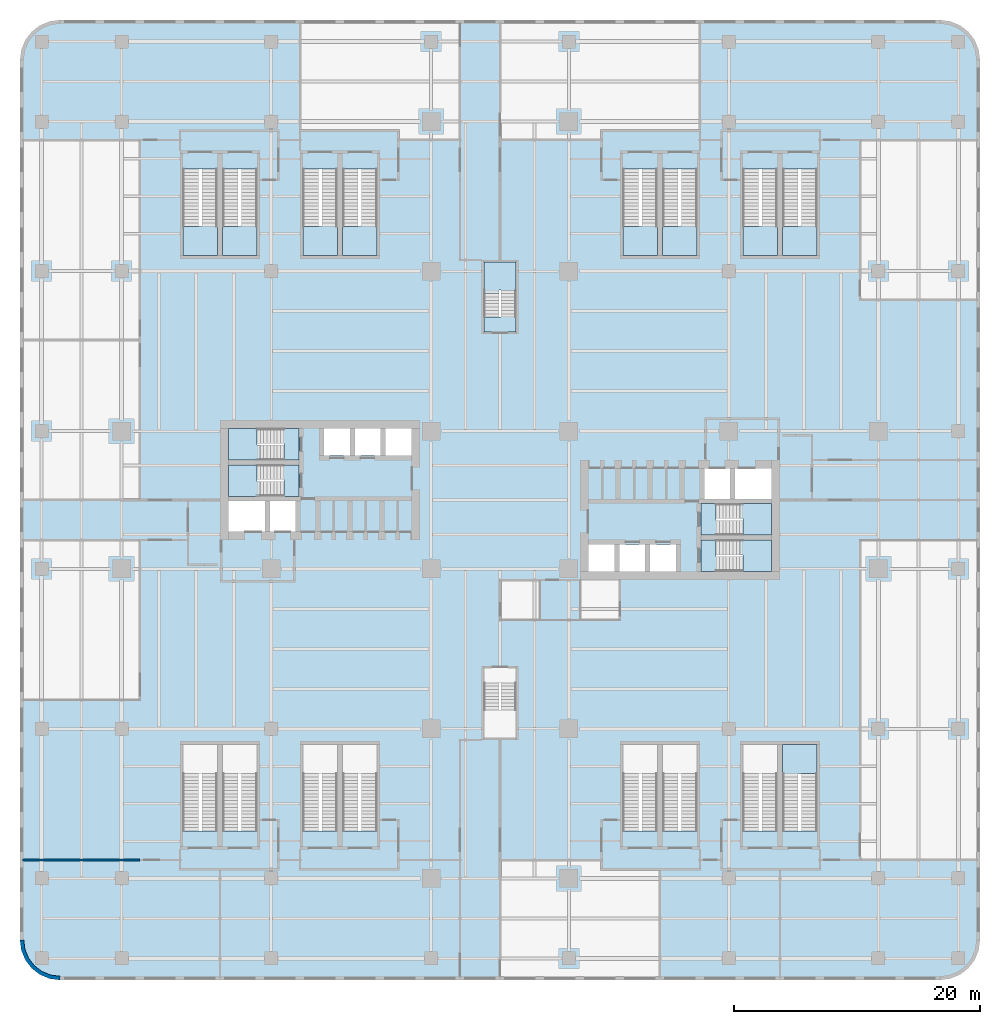
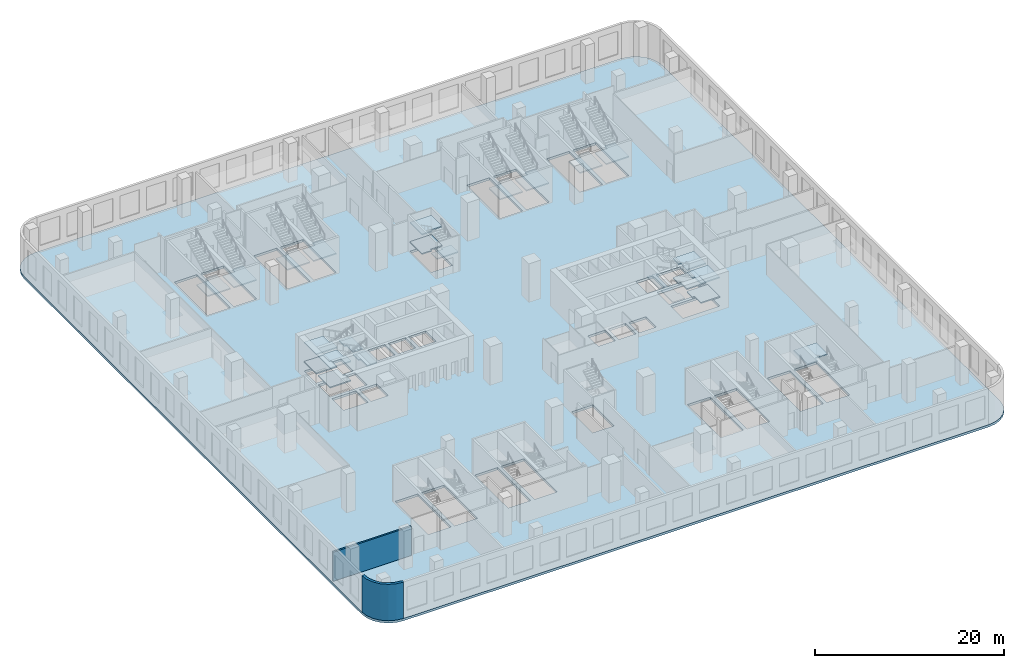
# One storey, part 4 of 17: 25 slabs, 2 walls, 14 elements without a shape of their own.
"""IFC4 building model written with IfcOpenShell, lengths in metres."""

from ifc_helpers import new_model, si_unit, direction, frame, frame_2d, origin, place, context, subcontext, project, spatial, polyline, rectangle, outline, extrude, source, transform, mapped, material, layer, layer_set, type_object, element, aggregate, save


model = new_model("IFC4")

# Units and contexts
model_context = context("Model", 3, precision=1e-05, world=origin(), true_north=direction((0.0, 1.0)))
body_context = subcontext(model_context, "Body", "Model", "MODEL_VIEW")
ifc_project = project(units=[si_unit("LENGTHUNIT", "METRE"), si_unit("AREAUNIT", "SQUARE_METRE"), si_unit("VOLUMEUNIT", "CUBIC_METRE"), si_unit("PLANEANGLEUNIT", "RADIAN"), si_unit("MASSUNIT", "GRAM", prefix="KILO")], contexts=[model_context])

# Site, building, storey
site_placement = place(None, origin())
site = spatial("IfcSite", under=ifc_project, at=site_placement, CompositionType="ELEMENT")
building_placement = place(site_placement, origin())
building = spatial("IfcBuilding", under=site, at=building_placement, Name="Trellis Farm Tower", CompositionType="ELEMENT")
storey_placement = place(building_placement, frame((0.0, 0.0, 19.0)))
storey = spatial("IfcBuildingStorey", under=building, at=storey_placement, Name="L03", CompositionType="ELEMENT", Elevation=19.0)

# Slab
ifc_material_1 = material(Name="Concrete C40/50", Category="concrete")
ifc_layer_1 = layer(ifc_material_1, 0.300048828125)
ifc_layer_set_1 = layer_set([ifc_layer_1], Name="Composite deck floor slab 300")
slab_type_1 = type_object("IfcSlabType", Name="Composite deck floor slab 300", PredefinedType="FLOOR", material=ifc_layer_set_1)
shared_shape_1 = source(origin(), body_context, "Body", "SweptSolid", [
    extrude(outline(polyline([(38.889404296875, -36.59130859375), (38.564697265625, -37.375), (38.048095703125, -38.048095703125), (37.375, -38.564697265625), (36.59130859375, -38.889404296875), (35.75, -39.0), (-35.75, -39.0), (-36.59130859375, -38.889404296875), (-37.375, -38.564697265625), (-38.048095703125, -38.048095703125), (-38.564697265625, -37.375), (-38.889404296875, -36.59130859375), (-39.0, -35.75), (-39.0, 35.75), (-38.889404296875, 36.59130859375), (-38.564697265625, 37.375), (-38.048095703125, 38.048095703125), (-37.375, 38.564697265625), (-36.59130859375, 38.889404296875), (-35.75, 39.0), (35.75, 39.0), (36.59130859375, 38.889404296875), (37.375, 38.564697265625), (38.048095703125, 38.048095703125), (38.564697265625, 37.375), (38.889404296875, 36.59130859375), (39.0, 35.75), (39.0, -35.75), (38.889404296875, -36.59130859375)]), holes=[polyline([(-24.219970703125, -26.89990234375), (-24.219970703125, -26.887939453125), (-22.969970703125, -26.887939453125), (-22.969970703125, -19.85009765625), (-25.75, -19.85009765625), (-25.75, -26.889892578125), (-24.5, -26.889892578125), (-24.5, -26.89990234375), (-24.219970703125, -26.89990234375)]), polyline([(-21.0, -26.89990234375), (-21.0, -26.887939453125), (-19.75, -26.887939453125), (-19.75, -19.85009765625), (-22.530029296875, -19.85009765625), (-22.530029296875, -26.889892578125), (-21.280029296875, -26.889892578125), (-21.280029296875, -26.89990234375), (-21.0, -26.89990234375)]), polyline([(-14.469970703125, -26.89990234375), (-14.469970703125, -26.887939453125), (-13.219970703125, -26.887939453125), (-13.219970703125, -19.85009765625), (-16.0, -19.85009765625), (-16.0, -26.889892578125), (-14.75, -26.889892578125), (-14.75, -26.89990234375), (-14.469970703125, -26.89990234375)]), polyline([(-11.25, -26.89990234375), (-11.25, -26.887939453125), (-10.0, -26.887939453125), (-10.0, -19.85009765625), (-12.780029296875, -19.85009765625), (-12.780029296875, -26.889892578125), (-11.530029296875, -26.889892578125), (-11.530029296875, -26.89990234375), (-11.25, -26.89990234375)]), polyline([(-0.10009765625, -14.85009765625), (-0.10009765625, -14.862060546875), (-1.300048828125, -14.862060546875), (-1.300048828125, -19.35009765625), (1.300048828125, -19.35009765625), (1.300048828125, -14.860107421875), (0.10009765625, -14.860107421875), (0.10009765625, -14.85009765625), (-0.10009765625, -14.85009765625)]), polyline([(-19.10009765625, -0.10009765625), (-22.050048828125, -0.10009765625), (-22.050048828125, -2.550048828125), (-19.10009765625, -2.550048828125), (-19.10009765625, -0.10009765625)]), polyline([(-16.60009765625, -0.10009765625), (-18.699951171875, -0.10009765625), (-18.699951171875, -2.550048828125), (-16.60009765625, -2.550048828125), (-16.60009765625, -0.10009765625)]), polyline([(-17.550048828125, 1.64990234375), (-17.56201171875, 1.64990234375), (-17.56201171875, 2.85009765625), (-22.050048828125, 2.85009765625), (-22.050048828125, 0.300048828125), (-17.56005859375, 0.300048828125), (-17.56005859375, 1.5), (-17.550048828125, 1.5), (-17.550048828125, 1.64990234375)]), polyline([(-17.550048828125, 4.60009765625), (-17.56201171875, 4.60009765625), (-17.56201171875, 5.800048828125), (-22.050048828125, 5.800048828125), (-22.050048828125, 3.25), (-17.56005859375, 3.25), (-17.56005859375, 4.449951171875), (-17.550048828125, 4.449951171875), (-17.550048828125, 4.60009765625)]), polyline([(-12.199951171875, 5.800048828125), (-14.300048828125, 5.800048828125), (-14.300048828125, 3.60009765625), (-12.199951171875, 3.60009765625), (-12.199951171875, 5.800048828125)]), polyline([(-9.699951171875, 5.800048828125), (-11.800048828125, 5.800048828125), (-11.800048828125, 3.60009765625), (-9.699951171875, 3.60009765625), (-9.699951171875, 5.800048828125)]), polyline([(-7.199951171875, 5.800048828125), (-9.300048828125, 5.800048828125), (-9.300048828125, 3.60009765625), (-7.199951171875, 3.60009765625), (-7.199951171875, 5.800048828125)]), polyline([(-24.5, 26.89990234375), (-24.5, 26.887939453125), (-25.75, 26.887939453125), (-25.75, 19.85009765625), (-22.969970703125, 19.85009765625), (-22.969970703125, 26.889892578125), (-24.219970703125, 26.889892578125), (-24.219970703125, 26.89990234375), (-24.5, 26.89990234375)]), polyline([(-21.280029296875, 26.89990234375), (-21.280029296875, 26.887939453125), (-22.530029296875, 26.887939453125), (-22.530029296875, 19.85009765625), (-19.75, 19.85009765625), (-19.75, 26.889892578125), (-21.0, 26.889892578125), (-21.0, 26.89990234375), (-21.280029296875, 26.89990234375)]), polyline([(-14.75, 26.89990234375), (-14.75, 26.887939453125), (-16.0, 26.887939453125), (-16.0, 19.85009765625), (-13.219970703125, 19.85009765625), (-13.219970703125, 26.889892578125), (-14.469970703125, 26.889892578125), (-14.469970703125, 26.89990234375), (-14.75, 26.89990234375)]), polyline([(-11.530029296875, 26.89990234375), (-11.530029296875, 26.887939453125), (-12.780029296875, 26.887939453125), (-12.780029296875, 19.85009765625), (-10.0, 19.85009765625), (-10.0, 26.889892578125), (-11.25, 26.889892578125), (-11.25, 26.89990234375), (-11.530029296875, 26.89990234375)]), polyline([(11.530029296875, -26.89990234375), (11.530029296875, -26.887939453125), (12.780029296875, -26.887939453125), (12.780029296875, -19.85009765625), (10.0, -19.85009765625), (10.0, -26.889892578125), (11.25, -26.889892578125), (11.25, -26.89990234375), (11.530029296875, -26.89990234375)]), polyline([(14.75, -26.89990234375), (14.75, -26.887939453125), (16.0, -26.887939453125), (16.0, -19.85009765625), (13.219970703125, -19.85009765625), (13.219970703125, -26.889892578125), (14.469970703125, -26.889892578125), (14.469970703125, -26.89990234375), (14.75, -26.89990234375)]), polyline([(21.280029296875, -26.89990234375), (21.280029296875, -26.887939453125), (22.530029296875, -26.887939453125), (22.530029296875, -19.85009765625), (19.75, -19.85009765625), (19.75, -26.889892578125), (21.0, -26.889892578125), (21.0, -26.89990234375), (21.280029296875, -26.89990234375)]), polyline([(24.5, -26.89990234375), (24.5, -26.887939453125), (25.75, -26.887939453125), (25.75, -19.85009765625), (22.969970703125, -19.85009765625), (22.969970703125, -26.889892578125), (24.219970703125, -26.889892578125), (24.219970703125, -26.89990234375), (24.5, -26.89990234375)]), polyline([(7.199951171875, -5.800048828125), (9.300048828125, -5.800048828125), (9.300048828125, -3.60009765625), (7.199951171875, -3.60009765625), (7.199951171875, -5.800048828125)]), polyline([(9.699951171875, -5.800048828125), (11.800048828125, -5.800048828125), (11.800048828125, -3.60009765625), (9.699951171875, -3.60009765625), (9.699951171875, -5.800048828125)]), polyline([(12.199951171875, -5.800048828125), (14.300048828125, -5.800048828125), (14.300048828125, -3.60009765625), (12.199951171875, -3.60009765625), (12.199951171875, -5.800048828125)]), polyline([(17.550048828125, -4.60009765625), (17.56201171875, -4.60009765625), (17.56201171875, -5.800048828125), (22.050048828125, -5.800048828125), (22.050048828125, -3.25), (17.56005859375, -3.25), (17.56005859375, -4.449951171875), (17.550048828125, -4.449951171875), (17.550048828125, -4.60009765625)]), polyline([(17.550048828125, -1.64990234375), (17.56201171875, -1.64990234375), (17.56201171875, -2.85009765625), (22.050048828125, -2.85009765625), (22.050048828125, -0.300048828125), (17.56005859375, -0.300048828125), (17.56005859375, -1.5), (17.550048828125, -1.5), (17.550048828125, -1.64990234375)]), polyline([(16.60009765625, 0.10009765625), (18.699951171875, 0.10009765625), (18.699951171875, 2.550048828125), (16.60009765625, 2.550048828125), (16.60009765625, 0.10009765625)]), polyline([(19.10009765625, 0.10009765625), (22.050048828125, 0.10009765625), (22.050048828125, 2.550048828125), (19.10009765625, 2.550048828125), (19.10009765625, 0.10009765625)]), polyline([(0.10009765625, 14.85009765625), (0.10009765625, 14.862060546875), (1.300048828125, 14.862060546875), (1.300048828125, 19.35009765625), (-1.300048828125, 19.35009765625), (-1.300048828125, 14.860107421875), (-0.10009765625, 14.860107421875), (-0.10009765625, 14.85009765625), (0.10009765625, 14.85009765625)]), polyline([(11.25, 26.89990234375), (11.25, 26.887939453125), (10.0, 26.887939453125), (10.0, 19.85009765625), (12.780029296875, 19.85009765625), (12.780029296875, 26.889892578125), (11.530029296875, 26.889892578125), (11.530029296875, 26.89990234375), (11.25, 26.89990234375)]), polyline([(14.469970703125, 26.89990234375), (14.469970703125, 26.887939453125), (13.219970703125, 26.887939453125), (13.219970703125, 19.85009765625), (16.0, 19.85009765625), (16.0, 26.889892578125), (14.75, 26.889892578125), (14.75, 26.89990234375), (14.469970703125, 26.89990234375)]), polyline([(21.0, 26.89990234375), (21.0, 26.887939453125), (19.75, 26.887939453125), (19.75, 19.85009765625), (22.530029296875, 19.85009765625), (22.530029296875, 26.889892578125), (21.280029296875, 26.889892578125), (21.280029296875, 26.89990234375), (21.0, 26.89990234375)]), polyline([(24.219970703125, 26.89990234375), (24.219970703125, 26.887939453125), (22.969970703125, 26.887939453125), (22.969970703125, 19.85009765625), (25.75, 19.85009765625), (25.75, 26.889892578125), (24.5, 26.889892578125), (24.5, 26.89990234375), (24.219970703125, 26.89990234375)])]), origin(), (0.0, 0.0, 1.0), 0.300048828125),
])
slab_1_placement = place(storey_placement, frame((0.0, 0.0, -0.300048828125)))
element("IfcSlab", 1, at=slab_1_placement, inside=storey, type_object=slab_type_1, Name="Floor slab", PredefinedType="FLOOR", context=body_context, shape_type="MappedRepresentation", body=[
    mapped(shared_shape_1, transform((0.0, 0.0, 0.0))),
])

# Stair, slabs
ifc_material_2 = material(Name="Concrete C50/60", Category="concrete")
stair_type_1 = type_object("IfcStairType", Name="CORE EXIT STAIR 36 RISERS 139 MM", PredefinedType="HALF_TURN_STAIR", material=ifc_material_2)
placement_1 = place(storey_placement, origin())
stair_1 = element("IfcStair", 2, at=placement_1, inside=storey, type_object=stair_type_1, Name="Exit stair N", PredefinedType="HALF_TURN_STAIR")
ifc_layer_2 = layer(ifc_material_2, 0.14990234375)
ifc_layer_set_2 = layer_set([ifc_layer_2], Name="CORE STAIR LANDING 150 CONCRETE C50/60")
slab_type_2 = type_object("IfcSlabType", Name="CORE STAIR LANDING 150 CONCRETE C50/60", PredefinedType="LANDING", material=ifc_layer_set_2)
shared_shape_2 = source(origin(), body_context, "Body", "SweptSolid", [
    extrude(outline(polyline([(-0.10009765625, 16.79052734375), (-1.300048828125, 16.79052734375), (-1.300048828125, 17.050048828125), (-1.300048828125, 19.35009765625), (1.300048828125, 19.35009765625), (1.300048828125, 17.050048828125), (1.300048828125, 17.0400390625), (0.10009765625, 17.0400390625), (0.10009765625, 17.050048828125), (-0.10009765625, 17.050048828125), (-0.10009765625, 16.79052734375)])), origin(), (0.0, 0.0, 1.0), 0.14990234375),
])
placement_2 = place(storey_placement, frame((0.0, 0.0, 1.10009765625)))
slab_2 = element("IfcSlab", 3, at=placement_2, type_object=slab_type_2, Name="STN landing 1", PredefinedType="LANDING", context=body_context, shape_type="MappedRepresentation", body=[
    mapped(shared_shape_2, transform((0.0, 0.0, 0.0))),
])
placement_3 = place(storey_placement, frame((0.0, 0.0, 3.60009765625)))
slab_3 = element("IfcSlab", 4, at=placement_3, type_object=slab_type_2, Name="STN landing 3", PredefinedType="LANDING", context=body_context, shape_type="MappedRepresentation", body=[
    mapped(shared_shape_2, transform((0.0, 0.0, 0.0))),
])
shared_shape_3 = source(origin(), body_context, "Body", "SweptSolid", [
    extrude(outline(polyline([(1.300048828125, 13.64990234375), (-1.300048828125, 13.64990234375), (-1.300048828125, 14.85009765625), (-1.300048828125, 14.860107421875), (-0.10009765625, 14.860107421875), (-0.10009765625, 14.85009765625), (0.10009765625, 14.85009765625), (0.10009765625, 15.109375), (1.300048828125, 15.109375), (1.300048828125, 14.85009765625), (1.300048828125, 13.64990234375)])), origin(), (0.0, 0.0, 1.0), 0.14990234375),
])
placement_4 = place(storey_placement, frame((0.0, 0.0, 2.35009765625)))
slab_4 = element("IfcSlab", 5, at=placement_4, type_object=slab_type_2, Name="STN landing 2", PredefinedType="LANDING", context=body_context, shape_type="MappedRepresentation", body=[
    mapped(shared_shape_3, transform((0.0, 0.0, 0.0))),
])
aggregate(stair_1, [slab_2, slab_4, slab_3])

stair_2 = element("IfcStair", 6, at=placement_1, inside=storey, type_object=stair_type_1, Name="Exit stair E1", PredefinedType="HALF_TURN_STAIR")
shared_shape_4 = source(origin(), body_context, "Body", "SweptSolid", [
    extrude(outline(polyline([(19.739990234375, -5.800048828125), (19.739990234375, -4.60009765625), (19.75, -4.60009765625), (19.75, -4.449951171875), (19.49072265625, -4.449951171875), (19.49072265625, -3.25), (19.75, -3.25), (22.050048828125, -3.25), (22.050048828125, -5.800048828125), (19.75, -5.800048828125), (19.739990234375, -5.800048828125)])), origin(), (0.0, 0.0, 1.0), 0.14990234375),
])
slab_5 = element("IfcSlab", 7, at=placement_2, type_object=slab_type_2, Name="STE1 landing 1", PredefinedType="LANDING", context=body_context, shape_type="MappedRepresentation", body=[
    mapped(shared_shape_4, transform((0.0, 0.0, 0.0))),
])
slab_6 = element("IfcSlab", 8, at=placement_3, type_object=slab_type_2, Name="STE1 landing 3", PredefinedType="LANDING", context=body_context, shape_type="MappedRepresentation", body=[
    mapped(shared_shape_4, transform((0.0, 0.0, 0.0))),
])
shared_shape_5 = source(origin(), body_context, "Body", "SweptSolid", [
    extrude(outline(polyline([(17.809326171875, -4.60009765625), (17.809326171875, -5.800048828125), (17.550048828125, -5.800048828125), (16.35009765625, -5.800048828125), (16.35009765625, -3.25), (17.550048828125, -3.25), (17.56005859375, -3.25), (17.56005859375, -4.449951171875), (17.550048828125, -4.449951171875), (17.550048828125, -4.60009765625), (17.809326171875, -4.60009765625)])), origin(), (0.0, 0.0, 1.0), 0.14990234375),
])
slab_7 = element("IfcSlab", 9, at=placement_4, type_object=slab_type_2, Name="STE1 landing 2", PredefinedType="LANDING", context=body_context, shape_type="MappedRepresentation", body=[
    mapped(shared_shape_5, transform((0.0, 0.0, 0.0))),
])
aggregate(stair_2, [slab_5, slab_7, slab_6])

stair_3 = element("IfcStair", 10, at=placement_1, inside=storey, type_object=stair_type_1, Name="Exit stair E2", PredefinedType="HALF_TURN_STAIR")
shared_shape_6 = source(origin(), body_context, "Body", "SweptSolid", [
    extrude(outline(polyline([(19.739990234375, -2.85009765625), (19.739990234375, -1.64990234375), (19.75, -1.64990234375), (19.75, -1.5), (19.49072265625, -1.5), (19.49072265625, -0.300048828125), (19.75, -0.300048828125), (22.050048828125, -0.300048828125), (22.050048828125, -2.85009765625), (19.75, -2.85009765625), (19.739990234375, -2.85009765625)])), origin(), (0.0, 0.0, 1.0), 0.14990234375),
])
slab_8 = element("IfcSlab", 11, at=placement_2, type_object=slab_type_2, Name="STE2 landing 1", PredefinedType="LANDING", context=body_context, shape_type="MappedRepresentation", body=[
    mapped(shared_shape_6, transform((0.0, 0.0, 0.0))),
])
slab_9 = element("IfcSlab", 12, at=placement_3, type_object=slab_type_2, Name="STE2 landing 3", PredefinedType="LANDING", context=body_context, shape_type="MappedRepresentation", body=[
    mapped(shared_shape_6, transform((0.0, 0.0, 0.0))),
])
shared_shape_7 = source(origin(), body_context, "Body", "SweptSolid", [
    extrude(outline(polyline([(17.809326171875, -1.64990234375), (17.809326171875, -2.85009765625), (17.550048828125, -2.85009765625), (16.35009765625, -2.85009765625), (16.35009765625, -0.300048828125), (17.550048828125, -0.300048828125), (17.56005859375, -0.300048828125), (17.56005859375, -1.5), (17.550048828125, -1.5), (17.550048828125, -1.64990234375), (17.809326171875, -1.64990234375)])), origin(), (0.0, 0.0, 1.0), 0.14990234375),
])
slab_10 = element("IfcSlab", 13, at=placement_4, type_object=slab_type_2, Name="STE2 landing 2", PredefinedType="LANDING", context=body_context, shape_type="MappedRepresentation", body=[
    mapped(shared_shape_7, transform((0.0, 0.0, 0.0))),
])
aggregate(stair_3, [slab_8, slab_10, slab_9])

# Stair, slab
stair_type_2 = type_object("IfcStairType", Name="PODIUM EXIT STAIR 36 RISERS 139 MM 1250 WIDE", PredefinedType="HALF_TURN_STAIR", material=ifc_material_2)
stair_4 = element("IfcStair", 14, at=placement_1, inside=storey, type_object=stair_type_2, Name="Podium exit stair STP1A", PredefinedType="HALF_TURN_STAIR")
shared_shape_8 = source(origin(), body_context, "Body", "SweptSolid", [
    extrude(outline(polyline([(-22.969970703125, 19.85009765625), (-25.75, 19.85009765625), (-25.75, 22.22509765625), (-25.75, 22.235107421875), (-24.5, 22.235107421875), (-24.5, 22.22509765625), (-24.219970703125, 22.22509765625), (-24.219970703125, 22.793701171875), (-22.969970703125, 22.793701171875), (-22.969970703125, 22.22509765625), (-22.969970703125, 19.85009765625)])), origin(), (0.0, 0.0, 1.0), 0.14990234375),
])
slab_11 = element("IfcSlab", 15, at=placement_4, type_object=slab_type_2, Name="STP1A landing 1", PredefinedType="LANDING", context=body_context, shape_type="MappedRepresentation", body=[
    mapped(shared_shape_8, transform((0.0, 0.0, 0.0))),
])
aggregate(stair_4, [slab_11])

stair_5 = element("IfcStair", 16, at=placement_1, inside=storey, type_object=stair_type_2, Name="Podium exit stair STP1B", PredefinedType="HALF_TURN_STAIR")
shared_shape_9 = source(origin(), body_context, "Body", "SweptSolid", [
    extrude(outline(polyline([(-19.75, 19.85009765625), (-22.530029296875, 19.85009765625), (-22.530029296875, 22.22509765625), (-22.530029296875, 22.235107421875), (-21.280029296875, 22.235107421875), (-21.280029296875, 22.22509765625), (-21.0, 22.22509765625), (-21.0, 22.793701171875), (-19.75, 22.793701171875), (-19.75, 22.22509765625), (-19.75, 19.85009765625)])), origin(), (0.0, 0.0, 1.0), 0.14990234375),
])
slab_12 = element("IfcSlab", 17, at=placement_4, type_object=slab_type_2, Name="STP1B landing 1", PredefinedType="LANDING", context=body_context, shape_type="MappedRepresentation", body=[
    mapped(shared_shape_9, transform((0.0, 0.0, 0.0))),
])
aggregate(stair_5, [slab_12])

stair_6 = element("IfcStair", 18, at=placement_1, inside=storey, type_object=stair_type_2, Name="Podium exit stair STP2A", PredefinedType="HALF_TURN_STAIR")
shared_shape_10 = source(origin(), body_context, "Body", "SweptSolid", [
    extrude(outline(polyline([(-13.219970703125, 19.85009765625), (-16.0, 19.85009765625), (-16.0, 22.22509765625), (-16.0, 22.235107421875), (-14.75, 22.235107421875), (-14.75, 22.22509765625), (-14.469970703125, 22.22509765625), (-14.469970703125, 22.793701171875), (-13.219970703125, 22.793701171875), (-13.219970703125, 22.22509765625), (-13.219970703125, 19.85009765625)])), origin(), (0.0, 0.0, 1.0), 0.14990234375),
])
slab_13 = element("IfcSlab", 19, at=placement_4, type_object=slab_type_2, Name="STP2A landing 1", PredefinedType="LANDING", context=body_context, shape_type="MappedRepresentation", body=[
    mapped(shared_shape_10, transform((0.0, 0.0, 0.0))),
])
aggregate(stair_6, [slab_13])

stair_7 = element("IfcStair", 20, at=placement_1, inside=storey, type_object=stair_type_2, Name="Podium exit stair STP2B", PredefinedType="HALF_TURN_STAIR")
shared_shape_11 = source(origin(), body_context, "Body", "SweptSolid", [
    extrude(outline(polyline([(-10.0, 19.85009765625), (-12.780029296875, 19.85009765625), (-12.780029296875, 22.22509765625), (-12.780029296875, 22.235107421875), (-11.530029296875, 22.235107421875), (-11.530029296875, 22.22509765625), (-11.25, 22.22509765625), (-11.25, 22.793701171875), (-10.0, 22.793701171875), (-10.0, 22.22509765625), (-10.0, 19.85009765625)])), origin(), (0.0, 0.0, 1.0), 0.14990234375),
])
slab_14 = element("IfcSlab", 21, at=placement_4, type_object=slab_type_2, Name="STP2B landing 1", PredefinedType="LANDING", context=body_context, shape_type="MappedRepresentation", body=[
    mapped(shared_shape_11, transform((0.0, 0.0, 0.0))),
])
aggregate(stair_7, [slab_14])

stair_8 = element("IfcStair", 22, at=placement_1, inside=storey, type_object=stair_type_2, Name="Podium exit stair STP3A", PredefinedType="HALF_TURN_STAIR")
shared_shape_12 = source(origin(), body_context, "Body", "SweptSolid", [
    extrude(outline(polyline([(12.780029296875, 19.85009765625), (10.0, 19.85009765625), (10.0, 22.22509765625), (10.0, 22.235107421875), (11.25, 22.235107421875), (11.25, 22.22509765625), (11.530029296875, 22.22509765625), (11.530029296875, 22.793701171875), (12.780029296875, 22.793701171875), (12.780029296875, 22.22509765625), (12.780029296875, 19.85009765625)])), origin(), (0.0, 0.0, 1.0), 0.14990234375),
])
slab_15 = element("IfcSlab", 23, at=placement_4, type_object=slab_type_2, Name="STP3A landing 1", PredefinedType="LANDING", context=body_context, shape_type="MappedRepresentation", body=[
    mapped(shared_shape_12, transform((0.0, 0.0, 0.0))),
])
aggregate(stair_8, [slab_15])

stair_9 = element("IfcStair", 24, at=placement_1, inside=storey, type_object=stair_type_2, Name="Podium exit stair STP3B", PredefinedType="HALF_TURN_STAIR")
shared_shape_13 = source(origin(), body_context, "Body", "SweptSolid", [
    extrude(outline(polyline([(16.0, 19.85009765625), (13.219970703125, 19.85009765625), (13.219970703125, 22.22509765625), (13.219970703125, 22.235107421875), (14.469970703125, 22.235107421875), (14.469970703125, 22.22509765625), (14.75, 22.22509765625), (14.75, 22.793701171875), (16.0, 22.793701171875), (16.0, 22.22509765625), (16.0, 19.85009765625)])), origin(), (0.0, 0.0, 1.0), 0.14990234375),
])
slab_16 = element("IfcSlab", 25, at=placement_4, type_object=slab_type_2, Name="STP3B landing 1", PredefinedType="LANDING", context=body_context, shape_type="MappedRepresentation", body=[
    mapped(shared_shape_13, transform((0.0, 0.0, 0.0))),
])
aggregate(stair_9, [slab_16])

stair_10 = element("IfcStair", 26, at=placement_1, inside=storey, type_object=stair_type_2, Name="Podium exit stair STP4A", PredefinedType="HALF_TURN_STAIR")
shared_shape_14 = source(origin(), body_context, "Body", "SweptSolid", [
    extrude(outline(polyline([(22.530029296875, 19.85009765625), (19.75, 19.85009765625), (19.75, 22.22509765625), (19.75, 22.235107421875), (21.0, 22.235107421875), (21.0, 22.22509765625), (21.280029296875, 22.22509765625), (21.280029296875, 22.793701171875), (22.530029296875, 22.793701171875), (22.530029296875, 22.22509765625), (22.530029296875, 19.85009765625)])), origin(), (0.0, 0.0, 1.0), 0.14990234375),
])
slab_17 = element("IfcSlab", 27, at=placement_4, type_object=slab_type_2, Name="STP4A landing 1", PredefinedType="LANDING", context=body_context, shape_type="MappedRepresentation", body=[
    mapped(shared_shape_14, transform((0.0, 0.0, 0.0))),
])
aggregate(stair_10, [slab_17])

stair_11 = element("IfcStair", 28, at=placement_1, inside=storey, type_object=stair_type_2, Name="Podium exit stair STP4B", PredefinedType="HALF_TURN_STAIR")
shared_shape_15 = source(origin(), body_context, "Body", "SweptSolid", [
    extrude(outline(polyline([(25.75, 19.85009765625), (22.969970703125, 19.85009765625), (22.969970703125, 22.22509765625), (22.969970703125, 22.235107421875), (24.219970703125, 22.235107421875), (24.219970703125, 22.22509765625), (24.5, 22.22509765625), (24.5, 22.793701171875), (25.75, 22.793701171875), (25.75, 22.22509765625), (25.75, 19.85009765625)])), origin(), (0.0, 0.0, 1.0), 0.14990234375),
])
slab_18 = element("IfcSlab", 29, at=placement_4, type_object=slab_type_2, Name="STP4B landing 1", PredefinedType="LANDING", context=body_context, shape_type="MappedRepresentation", body=[
    mapped(shared_shape_15, transform((0.0, 0.0, 0.0))),
])
aggregate(stair_11, [slab_18])

stair_12 = element("IfcStair", 30, at=placement_1, inside=storey, type_object=stair_type_2, Name="Podium exit stair STP8B", PredefinedType="HALF_TURN_STAIR")
shared_shape_16 = source(origin(), body_context, "Body", "SweptSolid", [
    extrude(outline(polyline([(24.219970703125, -22.793701171875), (22.969970703125, -22.793701171875), (22.969970703125, -22.22509765625), (22.969970703125, -19.85009765625), (25.75, -19.85009765625), (25.75, -22.22509765625), (25.75, -22.235107421875), (24.5, -22.235107421875), (24.5, -22.22509765625), (24.219970703125, -22.22509765625), (24.219970703125, -22.793701171875)])), origin(), (0.0, 0.0, 1.0), 0.14990234375),
])
slab_19 = element("IfcSlab", 31, at=placement_4, type_object=slab_type_2, Name="STP8B landing 1", PredefinedType="LANDING", context=body_context, shape_type="MappedRepresentation", body=[
    mapped(shared_shape_16, transform((0.0, 0.0, 0.0))),
])
aggregate(stair_12, [slab_19])

# Stair, slabs
stair_13 = element("IfcStair", 32, at=placement_1, inside=storey, type_object=stair_type_1, Name="Exit stair W1", PredefinedType="HALF_TURN_STAIR")
shared_shape_17 = source(origin(), body_context, "Body", "SweptSolid", [
    extrude(outline(polyline([(-19.49072265625, 4.449951171875), (-19.49072265625, 3.25), (-19.75, 3.25), (-22.050048828125, 3.25), (-22.050048828125, 5.800048828125), (-19.75, 5.800048828125), (-19.739990234375, 5.800048828125), (-19.739990234375, 4.60009765625), (-19.75, 4.60009765625), (-19.75, 4.449951171875), (-19.49072265625, 4.449951171875)])), origin(), (0.0, 0.0, 1.0), 0.14990234375),
])
slab_20 = element("IfcSlab", 33, at=placement_2, type_object=slab_type_2, Name="STW1 landing 1", PredefinedType="LANDING", context=body_context, shape_type="MappedRepresentation", body=[
    mapped(shared_shape_17, transform((0.0, 0.0, 0.0))),
])
slab_21 = element("IfcSlab", 34, at=placement_3, type_object=slab_type_2, Name="STW1 landing 3", PredefinedType="LANDING", context=body_context, shape_type="MappedRepresentation", body=[
    mapped(shared_shape_17, transform((0.0, 0.0, 0.0))),
])
shared_shape_18 = source(origin(), body_context, "Body", "SweptSolid", [
    extrude(outline(polyline([(-17.56005859375, 3.25), (-17.56005859375, 4.449951171875), (-17.550048828125, 4.449951171875), (-17.550048828125, 4.60009765625), (-17.809326171875, 4.60009765625), (-17.809326171875, 5.800048828125), (-17.550048828125, 5.800048828125), (-16.35009765625, 5.800048828125), (-16.35009765625, 3.25), (-17.550048828125, 3.25), (-17.56005859375, 3.25)])), origin(), (0.0, 0.0, 1.0), 0.14990234375),
])
slab_22 = element("IfcSlab", 35, at=placement_4, type_object=slab_type_2, Name="STW1 landing 2", PredefinedType="LANDING", context=body_context, shape_type="MappedRepresentation", body=[
    mapped(shared_shape_18, transform((0.0, 0.0, 0.0))),
])
aggregate(stair_13, [slab_20, slab_22, slab_21])

stair_14 = element("IfcStair", 36, at=placement_1, inside=storey, type_object=stair_type_1, Name="Exit stair W2", PredefinedType="HALF_TURN_STAIR")
shared_shape_19 = source(origin(), body_context, "Body", "SweptSolid", [
    extrude(outline(polyline([(-19.49072265625, 1.5), (-19.49072265625, 0.300048828125), (-19.75, 0.300048828125), (-22.050048828125, 0.300048828125), (-22.050048828125, 2.85009765625), (-19.75, 2.85009765625), (-19.739990234375, 2.85009765625), (-19.739990234375, 1.64990234375), (-19.75, 1.64990234375), (-19.75, 1.5), (-19.49072265625, 1.5)])), origin(), (0.0, 0.0, 1.0), 0.14990234375),
])
slab_23 = element("IfcSlab", 37, at=placement_2, type_object=slab_type_2, Name="STW2 landing 1", PredefinedType="LANDING", context=body_context, shape_type="MappedRepresentation", body=[
    mapped(shared_shape_19, transform((0.0, 0.0, 0.0))),
])
slab_24 = element("IfcSlab", 38, at=placement_3, type_object=slab_type_2, Name="STW2 landing 3", PredefinedType="LANDING", context=body_context, shape_type="MappedRepresentation", body=[
    mapped(shared_shape_19, transform((0.0, 0.0, 0.0))),
])
shared_shape_20 = source(origin(), body_context, "Body", "SweptSolid", [
    extrude(outline(polyline([(-17.56005859375, 0.300048828125), (-17.56005859375, 1.5), (-17.550048828125, 1.5), (-17.550048828125, 1.64990234375), (-17.809326171875, 1.64990234375), (-17.809326171875, 2.85009765625), (-17.550048828125, 2.85009765625), (-16.35009765625, 2.85009765625), (-16.35009765625, 0.300048828125), (-17.550048828125, 0.300048828125), (-17.56005859375, 0.300048828125)])), origin(), (0.0, 0.0, 1.0), 0.14990234375),
])
slab_25 = element("IfcSlab", 39, at=placement_4, type_object=slab_type_2, Name="STW2 landing 2", PredefinedType="LANDING", context=body_context, shape_type="MappedRepresentation", body=[
    mapped(shared_shape_20, transform((0.0, 0.0, 0.0))),
])
aggregate(stair_14, [slab_23, slab_25, slab_24])

# Walls
ifc_material_3 = material(Name="Lightweight blockwork, plastered", Category="masonry")
ifc_layer_3 = layer(ifc_material_3, 0.199951171875)
ifc_layer_set_3 = layer_set([ifc_layer_3], Name="BLOCK WALL 200 EI 120")
wall_type_1 = type_object("IfcWallType", Name="BLOCK WALL 200 EI 120", PredefinedType="PARTITIONING", material=ifc_layer_set_3)
wall_1_placement = place(storey_placement, frame((-38.800048828125, -29.25, 0.0), z_axis=(0.0, 0.0, 1.0), x_axis=(1.0, 0.0, 0.0)))
element("IfcWall", 40, at=wall_1_placement, inside=storey, type_object=wall_type_1, Name="Partition PW3", PredefinedType="PARTITIONING", context=body_context, shape_type="SweptSolid", body=[
    extrude(rectangle(XDim=9.550048828125, YDim=0.199951171875, at=frame_2d((4.77490234375, 0.0))), origin(), (0.0, 0.0, 1.0), 3.76171875),
])
ifc_material_4 = material(Name="Sandstone faced insulated wall", Category="masonry")
ifc_layer_4 = layer(ifc_material_4, 0.300048828125)
ifc_layer_set_4 = layer_set([ifc_layer_4], Name="STONE CLAD EXTERNAL WALL 300")
wall_type_2 = type_object("IfcWallType", Name="STONE CLAD EXTERNAL WALL 300", PredefinedType="SOLIDWALL", material=ifc_layer_set_4)
shared_shape_21 = source(origin(), body_context, "Body", "SweptSolid", [
    extrude(outline(polyline([(-39.0, -35.75), (-38.88916015625, -36.591064453125), (-38.564697265625, -37.375), (-38.048095703125, -38.048095703125), (-37.375, -38.564697265625), (-36.591064453125, -38.88916015625), (-35.75, -39.0), (-35.730224609375, -38.699951171875), (-36.512939453125, -38.596923828125), (-37.2236328125, -38.302490234375), (-37.834228515625, -37.834228515625), (-38.302490234375, -37.2236328125), (-38.596923828125, -36.512939453125), (-38.699951171875, -35.730224609375), (-39.0, -35.75)])), origin(), (0.0, 0.0, 1.0), 4.699951171875),
])
element("IfcWall", 41, at=placement_1, inside=storey, type_object=wall_type_2, Name="EW2 C03", PredefinedType="SOLIDWALL", context=body_context, shape_type="MappedRepresentation", body=[
    mapped(shared_shape_21, transform((0.0, 0.0, 0.0))),
])

save(model, "model.ifc")
